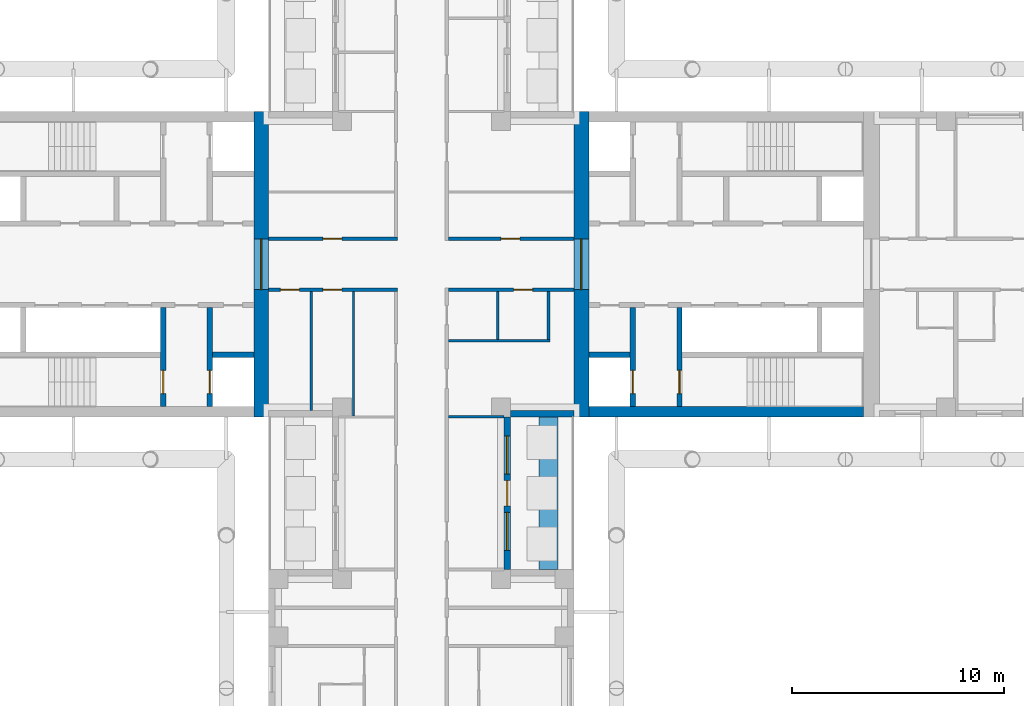
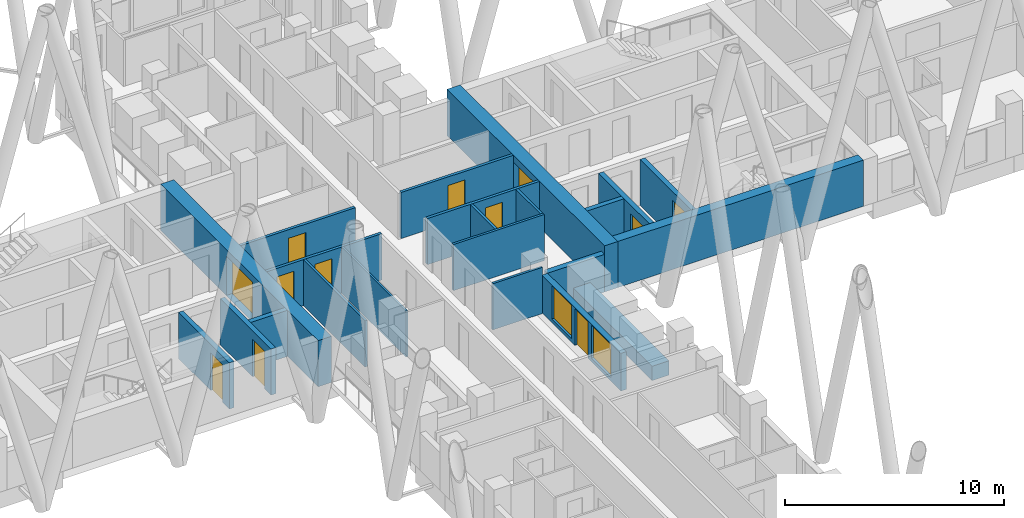
# One storey, part 7 of 14: 22 walls, 12 doors, 2 windows, 14 openings.
"""IFC4 building model written with IfcOpenShell, lengths in metres."""

from ifc_helpers import new_model, si_unit, direction, frame, frame_2d, origin, place, context, subcontext, project, spatial, rectangle, extrude, material, layer, layer_set, type_object, element, fill, save


model = new_model("IFC4")

# Units and contexts
model_context = context("Model", 3, precision=1e-05, world=origin(), true_north=direction((0.0, 1.0)))
body_context = subcontext(model_context, "Body", "Model", "MODEL_VIEW")
ifc_project = project(units=[si_unit("LENGTHUNIT", "METRE"), si_unit("AREAUNIT", "SQUARE_METRE"), si_unit("VOLUMEUNIT", "CUBIC_METRE"), si_unit("PLANEANGLEUNIT", "RADIAN"), si_unit("MASSUNIT", "GRAM", prefix="KILO")], contexts=[model_context])

# Site, building, storey
site_placement = place(None, origin())
site = spatial("IfcSite", under=ifc_project, at=site_placement, CompositionType="ELEMENT")
building_placement = place(site_placement, origin())
building = spatial("IfcBuilding", under=site, at=building_placement, Name="Fustian Cross Tower", CompositionType="ELEMENT")
storey_placement = place(building_placement, frame((0.0, 0.0, 102.89990234375)))
storey = spatial("IfcBuildingStorey", under=building, at=storey_placement, Name="L32", CompositionType="ELEMENT", Elevation=102.89990234375)

# Wall, openings, doors
ifc_material_1 = material(Name="Plasterboard on steel stud", Category="steel")
ifc_layer_1 = layer(ifc_material_1, 0.14990234375)
ifc_layer_set_1 = layer_set([ifc_layer_1], Name="Plasterboard on steel stud")
wall_type_1 = type_object("IfcWallType", Name="COMPARTMENT WALL 150 EI 60", PredefinedType="PARTITIONING", material=ifc_layer_set_1)
wall_1_placement = place(storey_placement, frame((-7.199951171875, -1.199951171875, 0.0), z_axis=(0.0, 0.0, 1.0), x_axis=(1.0, 0.0, 0.0)))
wall_1 = element("IfcWall", 1, at=wall_1_placement, inside=storey, type_object=wall_type_1, Name="Partition 12", PredefinedType="PARTITIONING", context=body_context, shape_type="SweptSolid", body=[
    extrude(rectangle(XDim=6.074951171875, YDim=0.14990234375, at=frame_2d((3.03759765625, 0.0))), origin(), (0.0, 0.0, 1.0), 2.5751953125),
])
opening_1_placement = place(wall_1_placement, frame((2.550048828125, 0.0, 0.0)))
opening_1 = element("IfcOpeningElement", 2, at=opening_1_placement, cuts=wall_1, Name="Opening D15009", PredefinedType="OPENING", context=body_context, shape_type="SweptSolid", body=[
    extrude(rectangle(XDim=0.89990234375, YDim=2.10009765625, at=frame_2d((0.449951171875, 1.050048828125))), frame((0.0, 0.0849609375, 0.0), z_axis=(0.0, -1.0, 0.0), x_axis=(1.0, 0.0, 0.0)), (0.0, 0.0, 1.0), 0.169921875),
])
opening_2_placement = place(wall_1_placement, frame((0.550048828125, 0.0, 0.0)))
opening_2 = element("IfcOpeningElement", 3, at=opening_2_placement, cuts=wall_1, Name="Opening D15010", PredefinedType="OPENING", context=body_context, shape_type="SweptSolid", body=[
    extrude(rectangle(XDim=0.89990234375, YDim=2.10009765625, at=frame_2d((0.449951171875, 1.050048828125))), frame((0.0, 0.0849609375, 0.0), z_axis=(0.0, -1.0, 0.0), x_axis=(1.0, 0.0, 0.0)), (0.0, 0.0, 1.0), 0.169921875),
])
ifc_material_2 = material(Name="Timber fire door set", Category="wood")
door_type_1 = type_object("IfcDoorType", Name="FIRE SWING DOOR 900 FD30S", OperationType="SINGLE_SWING_LEFT", PredefinedType="DOOR", material=ifc_material_2)
door_1_placement = place(opening_1_placement, frame((0.89990234375, 0.0, 0.0), z_axis=(0.0, 0.0, 1.0), x_axis=(-1.0, 0.0, 0.0)))
door_1 = element("IfcDoor", 4, at=door_1_placement, inside=storey, type_object=door_type_1, Name="Door D15009", OperationType="SINGLE_SWING_RIGHT", OverallHeight=2.10009765625, OverallWidth=0.89990234375, PredefinedType="DOOR", context=body_context, shape_type="SweptSolid", body=[
    extrude(rectangle(XDim=0.89990234375, YDim=2.10009765625, at=frame_2d((0.449951171875, 1.050048828125))), frame((0.0, 0.02490234375, 0.0), z_axis=(0.0, -1.0, 0.0), x_axis=(1.0, 0.0, 0.0)), (0.0, 0.0, 1.0), 0.050048828125),
])
fill(opening_1, door_1)
door_2_placement = place(opening_2_placement, frame((0.89990234375, 0.0, 0.0), z_axis=(0.0, 0.0, 1.0), x_axis=(-1.0, 0.0, 0.0)))
door_2 = element("IfcDoor", 5, at=door_2_placement, inside=storey, type_object=door_type_1, Name="Door D15010", OperationType="SINGLE_SWING_RIGHT", OverallHeight=2.10009765625, OverallWidth=0.89990234375, PredefinedType="DOOR", context=body_context, shape_type="SweptSolid", body=[
    extrude(rectangle(XDim=0.89990234375, YDim=2.10009765625, at=frame_2d((0.449951171875, 1.050048828125))), frame((0.0, 0.02490234375, 0.0), z_axis=(0.0, -1.0, 0.0), x_axis=(1.0, 0.0, 0.0)), (0.0, 0.0, 1.0), 0.050048828125),
])
fill(opening_2, door_2)

# Wall, opening, door
wall_2_placement = place(storey_placement, frame((-7.199951171875, 1.199951171875, 0.0), z_axis=(0.0, 0.0, 1.0), x_axis=(1.0, 0.0, 0.0)))
wall_2 = element("IfcWall", 6, at=wall_2_placement, inside=storey, type_object=wall_type_1, Name="Partition 13", PredefinedType="PARTITIONING", context=body_context, shape_type="SweptSolid", body=[
    extrude(rectangle(XDim=6.074951171875, YDim=0.14990234375, at=frame_2d((3.03759765625, 0.0))), origin(), (0.0, 0.0, 1.0), 2.5751953125),
])
opening_3_placement = place(wall_2_placement, frame((2.550048828125, 0.0, 0.0)))
opening_3 = element("IfcOpeningElement", 7, at=opening_3_placement, cuts=wall_2, Name="Opening D15003", PredefinedType="OPENING", context=body_context, shape_type="SweptSolid", body=[
    extrude(rectangle(XDim=0.89990234375, YDim=2.10009765625, at=frame_2d((0.449951171875, 1.050048828125))), frame((0.0, 0.0849609375, 0.0), z_axis=(0.0, -1.0, 0.0), x_axis=(1.0, 0.0, 0.0)), (0.0, 0.0, 1.0), 0.169921875),
])
door_3_placement = place(opening_3_placement, origin())
door_3 = element("IfcDoor", 8, at=door_3_placement, inside=storey, type_object=door_type_1, Name="Door D15003", OperationType="SINGLE_SWING_LEFT", OverallHeight=2.10009765625, OverallWidth=0.89990234375, PredefinedType="DOOR", context=body_context, shape_type="SweptSolid", body=[
    extrude(rectangle(XDim=0.89990234375, YDim=2.10009765625, at=frame_2d((0.449951171875, 1.050048828125))), frame((0.0, 0.02490234375, 0.0), z_axis=(0.0, -1.0, 0.0), x_axis=(1.0, 0.0, 0.0)), (0.0, 0.0, 1.0), 0.050048828125),
])
fill(opening_3, door_3)

wall_3_placement = place(storey_placement, frame((1.27490234375, -1.199951171875, 0.0), z_axis=(0.0, 0.0, 1.0), x_axis=(1.0, 0.0, 0.0)))
wall_3 = element("IfcWall", 9, at=wall_3_placement, inside=storey, type_object=wall_type_1, Name="Partition 50", PredefinedType="PARTITIONING", context=body_context, shape_type="SweptSolid", body=[
    extrude(rectangle(XDim=5.925048828125, YDim=0.14990234375, at=frame_2d((2.96240234375, 0.0))), origin(), (0.0, 0.0, 1.0), 2.5751953125),
])
opening_4_placement = place(wall_3_placement, frame((3.074951171875, 0.0, 0.0)))
opening_4 = element("IfcOpeningElement", 10, at=opening_4_placement, cuts=wall_3, Name="Opening D15006", PredefinedType="OPENING", context=body_context, shape_type="SweptSolid", body=[
    extrude(rectangle(XDim=0.89990234375, YDim=2.10009765625, at=frame_2d((0.449951171875, 1.050048828125))), frame((0.0, 0.0849609375, 0.0), z_axis=(0.0, -1.0, 0.0), x_axis=(1.0, 0.0, 0.0)), (0.0, 0.0, 1.0), 0.169921875),
])
door_4_placement = place(opening_4_placement, frame((0.89990234375, 0.0, 0.0), z_axis=(0.0, 0.0, 1.0), x_axis=(-1.0, 0.0, 0.0)))
door_4 = element("IfcDoor", 11, at=door_4_placement, inside=storey, type_object=door_type_1, Name="Door D15006", OperationType="SINGLE_SWING_RIGHT", OverallHeight=2.10009765625, OverallWidth=0.89990234375, PredefinedType="DOOR", context=body_context, shape_type="SweptSolid", body=[
    extrude(rectangle(XDim=0.89990234375, YDim=2.10009765625, at=frame_2d((0.449951171875, 1.050048828125))), frame((0.0, 0.02490234375, 0.0), z_axis=(0.0, -1.0, 0.0), x_axis=(1.0, 0.0, 0.0)), (0.0, 0.0, 1.0), 0.050048828125),
])
fill(opening_4, door_4)

wall_4_placement = place(storey_placement, frame((1.27490234375, 1.199951171875, 0.0), z_axis=(0.0, 0.0, 1.0), x_axis=(1.0, 0.0, 0.0)))
wall_4 = element("IfcWall", 12, at=wall_4_placement, inside=storey, type_object=wall_type_1, Name="Partition 52", PredefinedType="PARTITIONING", context=body_context, shape_type="SweptSolid", body=[
    extrude(rectangle(XDim=5.925048828125, YDim=0.14990234375, at=frame_2d((2.96240234375, 0.0))), origin(), (0.0, 0.0, 1.0), 2.5751953125),
])
opening_5_placement = place(wall_4_placement, frame((2.47509765625, 0.0, 0.0)))
opening_5 = element("IfcOpeningElement", 13, at=opening_5_placement, cuts=wall_4, Name="Opening D15001", PredefinedType="OPENING", context=body_context, shape_type="SweptSolid", body=[
    extrude(rectangle(XDim=0.89990234375, YDim=2.10009765625, at=frame_2d((0.449951171875, 1.050048828125))), frame((0.0, 0.0849609375, 0.0), z_axis=(0.0, -1.0, 0.0), x_axis=(1.0, 0.0, 0.0)), (0.0, 0.0, 1.0), 0.169921875),
])
door_5_placement = place(opening_5_placement, origin())
door_5 = element("IfcDoor", 14, at=door_5_placement, inside=storey, type_object=door_type_1, Name="Door D15001", OperationType="SINGLE_SWING_LEFT", OverallHeight=2.10009765625, OverallWidth=0.89990234375, PredefinedType="DOOR", context=body_context, shape_type="SweptSolid", body=[
    extrude(rectangle(XDim=0.89990234375, YDim=2.10009765625, at=frame_2d((0.449951171875, 1.050048828125))), frame((0.0, 0.02490234375, 0.0), z_axis=(0.0, -1.0, 0.0), x_axis=(1.0, 0.0, 0.0)), (0.0, 0.0, 1.0), 0.050048828125),
])
fill(opening_5, door_5)

ifc_material_3 = material(Name="Concrete C70/85", Category="concrete")
ifc_layer_2 = layer(ifc_material_3, 0.699951171875)
ifc_layer_set_2 = layer_set([ifc_layer_2], Name="Concrete C70/85")
wall_type_2 = type_object("IfcWallType", Name="CORE END WALL 700 C70/85", PredefinedType="SHEAR", material=ifc_layer_set_2)
wall_5_placement = place(storey_placement, frame((7.550048828125, -7.199951171875, 0.0), z_axis=(0.0, 0.0, 1.0), x_axis=(0.0, 1.0, 0.0)))
wall_5 = element("IfcWall", 15, at=wall_5_placement, inside=storey, type_object=wall_type_2, Name="Core end wall", PredefinedType="SHEAR", context=body_context, shape_type="SweptSolid", body=[
    extrude(rectangle(XDim=14.39990234375, YDim=0.699951171875, at=frame_2d((7.199951171875, 0.0))), origin(), (0.0, 0.0, 1.0), 2.5751953125),
])
opening_6_placement = place(wall_5_placement, frame((6.0, 0.0, 0.0)))
opening_6 = element("IfcOpeningElement", 16, at=opening_6_placement, cuts=wall_5, Name="Opening CD-10-12", PredefinedType="OPENING", context=body_context, shape_type="SweptSolid", body=[
    extrude(rectangle(XDim=2.39990234375, YDim=2.199951171875, at=frame_2d((1.199951171875, 1.10009765625))), frame((0.0, 0.35986328125, 0.0), z_axis=(0.0, -1.0, 0.0), x_axis=(1.0, 0.0, 0.0)), (0.0, 0.0, 1.0), 0.719970703125),
])
ifc_material_4 = material(Name="Steel", Category="steel")
door_type_2 = type_object("IfcDoorType", Name="FIRE DOOR FD30S DOUBLE 2400X2200", OperationType="DOUBLE_DOOR_DOUBLE_SWING", PredefinedType="DOOR", material=ifc_material_4)
door_6_placement = place(opening_6_placement, frame((2.39990234375, 0.0, 0.0), z_axis=(0.0, 0.0, 1.0), x_axis=(-1.0, 0.0, 0.0)))
door_6 = element("IfcDoor", 17, at=door_6_placement, inside=storey, type_object=door_type_2, Name="Core door CD-10-12", OperationType="DOUBLE_DOOR_DOUBLE_SWING", OverallHeight=2.199951171875, OverallWidth=2.39990234375, PredefinedType="DOOR", context=body_context, shape_type="SweptSolid", body=[
    extrude(rectangle(XDim=2.39990234375, YDim=2.199951171875, at=frame_2d((1.199951171875, 1.10009765625))), frame((0.0, 0.02490234375, 0.0), z_axis=(0.0, -1.0, 0.0), x_axis=(1.0, 0.0, 0.0)), (0.0, 0.0, 1.0), 0.050048828125),
])
fill(opening_6, door_6)

wall_6_placement = place(storey_placement, frame((-7.550048828125, -7.199951171875, 0.0), z_axis=(0.0, 0.0, 1.0), x_axis=(0.0, 1.0, 0.0)))
wall_6 = element("IfcWall", 18, at=wall_6_placement, inside=storey, type_object=wall_type_2, Name="Core end wall", PredefinedType="SHEAR", context=body_context, shape_type="SweptSolid", body=[
    extrude(rectangle(XDim=14.39990234375, YDim=0.699951171875, at=frame_2d((7.199951171875, 0.0))), origin(), (0.0, 0.0, 1.0), 2.5751953125),
])
opening_7_placement = place(wall_6_placement, frame((6.0, 0.0, 0.0)))
opening_7 = element("IfcOpeningElement", 19, at=opening_7_placement, cuts=wall_6, Name="Opening CD-10-27", PredefinedType="OPENING", context=body_context, shape_type="SweptSolid", body=[
    extrude(rectangle(XDim=2.39990234375, YDim=2.199951171875, at=frame_2d((1.199951171875, 1.10009765625))), frame((0.0, 0.35986328125, 0.0), z_axis=(0.0, -1.0, 0.0), x_axis=(1.0, 0.0, 0.0)), (0.0, 0.0, 1.0), 0.719970703125),
])
door_7_placement = place(opening_7_placement, origin())
door_7 = element("IfcDoor", 20, at=door_7_placement, inside=storey, type_object=door_type_2, Name="Core door CD-10-27", OperationType="DOUBLE_DOOR_DOUBLE_SWING", OverallHeight=2.199951171875, OverallWidth=2.39990234375, PredefinedType="DOOR", context=body_context, shape_type="SweptSolid", body=[
    extrude(rectangle(XDim=2.39990234375, YDim=2.199951171875, at=frame_2d((1.199951171875, 1.10009765625))), frame((0.0, 0.02490234375, 0.0), z_axis=(0.0, -1.0, 0.0), x_axis=(1.0, 0.0, 0.0)), (0.0, 0.0, 1.0), 0.050048828125),
])
fill(opening_7, door_7)

# Walls
ifc_material_5 = material(Name="Concrete C70/85", Category="concrete")
ifc_layer_3 = layer(ifc_material_5, 0.5)
ifc_layer_set_3 = layer_set([ifc_layer_3], Name="Concrete C70/85")
wall_type_3 = type_object("IfcWallType", Name="CORE FACADE WALL 500 C70/85", PredefinedType="SHEAR", material=ifc_layer_set_3)
wall_7_placement = place(storey_placement, frame((7.89990234375, -6.949951171875, 0.0), z_axis=(0.0, 0.0, 1.0), x_axis=(1.0, 0.0, 0.0)))
element("IfcWall", 21, at=wall_7_placement, inside=storey, type_object=wall_type_3, Name="Core facade wall", PredefinedType="SHEAR", context=body_context, shape_type="SweptSolid", body=[
    extrude(rectangle(XDim=12.9501953125, YDim=0.5, at=frame_2d((6.47509765625, 0.0))), origin(), (0.0, 0.0, 1.0), 2.5751953125),
])
ifc_material_6 = material(Name="Concrete C50/60", Category="concrete")
ifc_layer_4 = layer(ifc_material_6, 0.25)
ifc_layer_set_4 = layer_set([ifc_layer_4], Name="Concrete C50/60")
wall_type_4 = type_object("IfcWallType", Name="CORE SHAFT WALL 250 C50/60", PredefinedType="SHEAR", material=ifc_layer_set_4)
wall_8_placement = place(storey_placement, frame((7.89990234375, -4.27490234375, 0.0), z_axis=(0.0, 0.0, 1.0), x_axis=(1.0, 0.0, 0.0)))
element("IfcWall", 22, at=wall_8_placement, inside=storey, type_object=wall_type_4, Name="Core shaft wall", PredefinedType="SHEAR", context=body_context, shape_type="SweptSolid", body=[
    extrude(rectangle(XDim=1.9501953125, YDim=0.25, at=frame_2d((0.97509765625, 0.0))), origin(), (0.0, 0.0, 1.0), 2.5751953125),
])

# Wall, opening, door
wall_9_placement = place(storey_placement, frame((9.97509765625, -2.050048828125, 0.0), z_axis=(0.0, 0.0, 1.0), x_axis=(0.0, -1.0, 0.0)))
wall_9 = element("IfcWall", 23, at=wall_9_placement, inside=storey, type_object=wall_type_4, Name="Core shaft wall", PredefinedType="SHEAR", context=body_context, shape_type="SweptSolid", body=[
    extrude(rectangle(XDim=4.64990234375, YDim=0.25, at=frame_2d((2.324951171875, 0.0))), origin(), (0.0, 0.0, 1.0), 2.5751953125),
])
opening_8_placement = place(wall_9_placement, frame((2.949951171875, 0.0, 0.0)))
opening_8 = element("IfcOpeningElement", 24, at=opening_8_placement, cuts=wall_9, Name="Opening LD", PredefinedType="OPENING", context=body_context, shape_type="SweptSolid", body=[
    extrude(rectangle(XDim=1.10009765625, YDim=2.10009765625, at=frame_2d((0.550048828125, 1.050048828125))), frame((0.0, 0.135009765625, 0.0), z_axis=(0.0, -1.0, 0.0), x_axis=(1.0, 0.0, 0.0)), (0.0, 0.0, 1.0), 0.27001953125),
])
ifc_material_7 = material(Name="Stainless steel", Category="steel")
door_type_3 = type_object("IfcDoorType", Name="LIFT LANDING DOOR 1100X2100", OperationType="SLIDING_TO_LEFT", PredefinedType="DOOR", material=ifc_material_7)
door_8_placement = place(opening_8_placement, origin())
door_8 = element("IfcDoor", 25, at=door_8_placement, inside=storey, type_object=door_type_3, Name="Landing door SV1", OperationType="SLIDING_TO_LEFT", OverallHeight=2.10009765625, OverallWidth=1.10009765625, PredefinedType="DOOR", context=body_context, shape_type="SweptSolid", body=[
    extrude(rectangle(XDim=1.10009765625, YDim=2.10009765625, at=frame_2d((0.550048828125, 1.050048828125))), frame((0.0, 0.02490234375, 0.0), z_axis=(0.0, -1.0, 0.0), x_axis=(1.0, 0.0, 0.0)), (0.0, 0.0, 1.0), 0.050048828125),
])
fill(opening_8, door_8)

wall_10_placement = place(storey_placement, frame((12.175048828125, -2.050048828125, 0.0), z_axis=(0.0, 0.0, 1.0), x_axis=(0.0, -1.0, 0.0)))
wall_10 = element("IfcWall", 26, at=wall_10_placement, inside=storey, type_object=wall_type_4, Name="Core shaft wall", PredefinedType="SHEAR", context=body_context, shape_type="SweptSolid", body=[
    extrude(rectangle(XDim=4.64990234375, YDim=0.25, at=frame_2d((2.324951171875, 0.0))), origin(), (0.0, 0.0, 1.0), 2.5751953125),
])
opening_9_placement = place(wall_10_placement, frame((2.949951171875, 0.0, 0.0)))
opening_9 = element("IfcOpeningElement", 27, at=opening_9_placement, cuts=wall_10, Name="Opening CD-10-07", PredefinedType="OPENING", context=body_context, shape_type="SweptSolid", body=[
    extrude(rectangle(XDim=1.10009765625, YDim=2.10009765625, at=frame_2d((0.550048828125, 1.050048828125))), frame((0.0, 0.135009765625, 0.0), z_axis=(0.0, -1.0, 0.0), x_axis=(1.0, 0.0, 0.0)), (0.0, 0.0, 1.0), 0.27001953125),
])
ifc_material_8 = material(Name="Steel", Category="steel")
door_type_4 = type_object("IfcDoorType", Name="FIRE DOOR FD60S 1100X2100", OperationType="SINGLE_SWING_LEFT", PredefinedType="DOOR", material=ifc_material_8)
door_9_placement = place(opening_9_placement, origin())
door_9 = element("IfcDoor", 28, at=door_9_placement, inside=storey, type_object=door_type_4, Name="Core door CD-10-07", OperationType="SINGLE_SWING_LEFT", OverallHeight=2.10009765625, OverallWidth=1.10009765625, PredefinedType="DOOR", context=body_context, shape_type="SweptSolid", body=[
    extrude(rectangle(XDim=1.10009765625, YDim=2.10009765625, at=frame_2d((0.550048828125, 1.050048828125))), frame((0.0, 0.02490234375, 0.0), z_axis=(0.0, -1.0, 0.0), x_axis=(1.0, 0.0, 0.0)), (0.0, 0.0, 1.0), 0.050048828125),
])
fill(opening_9, door_9)

# Wall
wall_11_placement = place(storey_placement, frame((-7.89990234375, -4.27490234375, 0.0), z_axis=(0.0, 0.0, 1.0), x_axis=(-1.0, 0.0, 0.0)))
element("IfcWall", 29, at=wall_11_placement, inside=storey, type_object=wall_type_4, Name="Core shaft wall", PredefinedType="SHEAR", context=body_context, shape_type="SweptSolid", body=[
    extrude(rectangle(XDim=1.9501953125, YDim=0.25, at=frame_2d((0.97509765625, 0.0))), origin(), (0.0, 0.0, 1.0), 2.5751953125),
])

# Wall, opening, door
wall_12_placement = place(storey_placement, frame((-9.97509765625, -2.050048828125, 0.0), z_axis=(0.0, 0.0, 1.0), x_axis=(0.0, -1.0, 0.0)))
wall_12 = element("IfcWall", 30, at=wall_12_placement, inside=storey, type_object=wall_type_4, Name="Core shaft wall", PredefinedType="SHEAR", context=body_context, shape_type="SweptSolid", body=[
    extrude(rectangle(XDim=4.64990234375, YDim=0.25, at=frame_2d((2.324951171875, 0.0))), origin(), (0.0, 0.0, 1.0), 2.5751953125),
])
opening_10_placement = place(wall_12_placement, frame((2.949951171875, 0.0, 0.0)))
opening_10 = element("IfcOpeningElement", 31, at=opening_10_placement, cuts=wall_12, Name="Opening LD", PredefinedType="OPENING", context=body_context, shape_type="SweptSolid", body=[
    extrude(rectangle(XDim=1.10009765625, YDim=2.10009765625, at=frame_2d((0.550048828125, 1.050048828125))), frame((0.0, 0.135009765625, 0.0), z_axis=(0.0, -1.0, 0.0), x_axis=(1.0, 0.0, 0.0)), (0.0, 0.0, 1.0), 0.27001953125),
])
door_10_placement = place(opening_10_placement, origin())
door_10 = element("IfcDoor", 32, at=door_10_placement, inside=storey, type_object=door_type_3, Name="Landing door SV1W", OperationType="SLIDING_TO_LEFT", OverallHeight=2.10009765625, OverallWidth=1.10009765625, PredefinedType="DOOR", context=body_context, shape_type="SweptSolid", body=[
    extrude(rectangle(XDim=1.10009765625, YDim=2.10009765625, at=frame_2d((0.550048828125, 1.050048828125))), frame((0.0, 0.02490234375, 0.0), z_axis=(0.0, -1.0, 0.0), x_axis=(1.0, 0.0, 0.0)), (0.0, 0.0, 1.0), 0.050048828125),
])
fill(opening_10, door_10)

wall_13_placement = place(storey_placement, frame((-12.175048828125, -2.050048828125, 0.0), z_axis=(0.0, 0.0, 1.0), x_axis=(0.0, -1.0, 0.0)))
wall_13 = element("IfcWall", 33, at=wall_13_placement, inside=storey, type_object=wall_type_4, Name="Core shaft wall", PredefinedType="SHEAR", context=body_context, shape_type="SweptSolid", body=[
    extrude(rectangle(XDim=4.64990234375, YDim=0.25, at=frame_2d((2.324951171875, 0.0))), origin(), (0.0, 0.0, 1.0), 2.5751953125),
])
opening_11_placement = place(wall_13_placement, frame((2.949951171875, 0.0, 0.0)))
opening_11 = element("IfcOpeningElement", 34, at=opening_11_placement, cuts=wall_13, Name="Opening CD-10-22", PredefinedType="OPENING", context=body_context, shape_type="SweptSolid", body=[
    extrude(rectangle(XDim=1.10009765625, YDim=2.10009765625, at=frame_2d((0.550048828125, 1.050048828125))), frame((0.0, 0.135009765625, 0.0), z_axis=(0.0, -1.0, 0.0), x_axis=(1.0, 0.0, 0.0)), (0.0, 0.0, 1.0), 0.27001953125),
])
door_11_placement = place(opening_11_placement, frame((1.10009765625, 0.0, 0.0), z_axis=(0.0, 0.0, 1.0), x_axis=(-1.0, 0.0, 0.0)))
door_11 = element("IfcDoor", 35, at=door_11_placement, inside=storey, type_object=door_type_4, Name="Core door CD-10-22", OperationType="SINGLE_SWING_RIGHT", OverallHeight=2.10009765625, OverallWidth=1.10009765625, PredefinedType="DOOR", context=body_context, shape_type="SweptSolid", body=[
    extrude(rectangle(XDim=1.10009765625, YDim=2.10009765625, at=frame_2d((0.550048828125, 1.050048828125))), frame((0.0, 0.02490234375, 0.0), z_axis=(0.0, -1.0, 0.0), x_axis=(1.0, 0.0, 0.0)), (0.0, 0.0, 1.0), 0.050048828125),
])
fill(opening_11, door_11)

# Walls
ifc_material_9 = material(Name="Plasterboard on steel stud", Category="steel")
ifc_layer_5 = layer(ifc_material_9, 0.10009765625)
ifc_layer_set_5 = layer_set([ifc_layer_5], Name="Plasterboard on steel stud")
wall_type_5 = type_object("IfcWallType", Name="PARTITION 100 STUD", PredefinedType="PARTITIONING", material=ifc_layer_set_5)
wall_14_placement = place(storey_placement, frame((-3.199951171875, -7.14990234375, 0.0), z_axis=(0.0, 0.0, 1.0), x_axis=(0.0, 1.0, 0.0)))
element("IfcWall", 36, at=wall_14_placement, inside=storey, type_object=wall_type_5, Name="Partition 38", PredefinedType="PARTITIONING", context=body_context, shape_type="SweptSolid", body=[
    extrude(rectangle(XDim=5.875, YDim=0.10009765625, at=frame_2d((2.9375, 0.0))), origin(), (0.0, 0.0, 1.0), 2.5751953125),
])
ifc_material_10 = material(Name="Concrete C40/50", Category="concrete")
ifc_layer_6 = layer(ifc_material_10, 0.89990234375)
ifc_layer_set_6 = layer_set([ifc_layer_6], Name="Concrete C40/50")
wall_type_6 = type_object("IfcWallType", Name="PK1 PLANTER 900", PredefinedType="PARAPET", material=ifc_layer_set_6)
wall_15_placement = place(storey_placement, frame((6.0, -14.39990234375, 0.0), z_axis=(0.0, 0.0, 1.0), x_axis=(0.0, 1.0, 0.0)))
element("IfcWall", 37, at=wall_15_placement, inside=storey, type_object=wall_type_6, Name="PLANTER", PredefinedType="PARAPET", context=body_context, shape_type="SweptSolid", body=[
    extrude(rectangle(XDim=7.199951171875, YDim=0.89990234375, at=frame_2d((3.60009765625, 0.0))), origin(), (0.0, 0.0, 1.0), 0.800048828125),
])
ifc_material_11 = material(Name="Plasterboard on steel stud", Category="steel")
ifc_layer_7 = layer(ifc_material_11, 0.125)
ifc_layer_set_7 = layer_set([ifc_layer_7], Name="Plasterboard on steel stud")
wall_type_7 = type_object("IfcWallType", Name="WET WALL 125 STUD", PredefinedType="PARTITIONING", material=ifc_layer_set_7)
wall_16_placement = place(storey_placement, frame((-5.199951171875, -6.89990234375, 0.0), z_axis=(0.0, 0.0, 1.0), x_axis=(0.0, 1.0, 0.0)))
element("IfcWall", 38, at=wall_16_placement, inside=storey, type_object=wall_type_7, Name="Partition 23", PredefinedType="PARTITIONING", context=body_context, shape_type="SweptSolid", body=[
    extrude(rectangle(XDim=5.625, YDim=0.125, at=frame_2d((2.8125, 0.0))), origin(), (0.0, 0.0, 1.0), 2.5751953125),
])
wall_17_placement = place(storey_placement, frame((1.27490234375, -7.199951171875, 0.0), z_axis=(0.0, 0.0, 1.0), x_axis=(1.0, 0.0, 0.0)))
element("IfcWall", 39, at=wall_17_placement, inside=storey, type_object=wall_type_7, Name="Partition 48", PredefinedType="PARTITIONING", context=body_context, shape_type="SweptSolid", body=[
    extrude(rectangle(XDim=2.625, YDim=0.125, at=frame_2d((1.3125, 0.0))), origin(), (0.0, 0.0, 1.0), 2.5751953125),
])
wall_18_placement = place(storey_placement, frame((1.27490234375, -3.60009765625, 0.0), z_axis=(0.0, 0.0, 1.0), x_axis=(1.0, 0.0, 0.0)))
element("IfcWall", 40, at=wall_18_placement, inside=storey, type_object=wall_type_7, Name="Partition 49", PredefinedType="PARTITIONING", context=body_context, shape_type="SweptSolid", body=[
    extrude(rectangle(XDim=4.78759765625, YDim=0.125, at=frame_2d((2.393798828125, 0.0))), origin(), (0.0, 0.0, 1.0), 2.5751953125),
])
for number, where, z_axis, x_axis, name in (
    (41, (3.60009765625, -3.53759765625, 0.0), (0.0, 0.0, 1.0), (0.0, 1.0, 0.0), "Partition 63"),
    (42, (6.0, -3.53759765625, 0.0), (0.0, 0.0, 1.0), (0.0, 1.0, 0.0), "Partition 69"),
):
    element("IfcWall", number, at=place(storey_placement, frame(where, z_axis=z_axis, x_axis=x_axis)), inside=storey, type_object=wall_type_7, Name=name, PredefinedType="PARTITIONING", context=body_context, shape_type="SweptSolid", body=[
        extrude(rectangle(XDim=2.2626953125, YDim=0.125, at=frame_2d((1.13134765625, 0.0))), origin(), (0.0, 0.0, 1.0), 2.5751953125),
    ])

# Wall, openings, door, windows
ifc_material_12 = material(Name="Dark aluminium cladding on insulated backing wall", Category="aluminium")
ifc_layer_8 = layer(ifc_material_12, 0.300048828125)
ifc_layer_set_8 = layer_set([ifc_layer_8], Name="Dark aluminium cladding on insulated backing wall")
wall_type_8 = type_object("IfcWallType", Name="XW1 EXTERNAL WALL 300", PredefinedType="SOLIDWALL", material=ifc_layer_set_8)
wall_19_placement = place(storey_placement, frame((4.050048828125, -14.39990234375, 0.0), z_axis=(0.0, 0.0, 1.0), x_axis=(0.0, 1.0, 0.0)))
wall_19 = element("IfcWall", 43, at=wall_19_placement, inside=storey, type_object=wall_type_8, Name="External wall", PredefinedType="SOLIDWALL", context=body_context, shape_type="SweptSolid", body=[
    extrude(rectangle(XDim=7.199951171875, YDim=0.300048828125, at=frame_2d((3.60009765625, 0.0))), origin(), (0.0, 0.0, 1.0), 2.10009765625),
])
opening_12_placement = place(wall_19_placement, frame((3.0, 0.0, 0.0)))
opening_12 = element("IfcOpeningElement", 44, at=opening_12_placement, cuts=wall_19, Name="Opening XD3", PredefinedType="OPENING", context=body_context, shape_type="SweptSolid", body=[
    extrude(rectangle(XDim=1.199951171875, YDim=2.050048828125, at=frame_2d((0.60009765625, 1.02490234375))), frame((0.0, 0.159912109375, 0.0), z_axis=(0.0, -1.0, 0.0), x_axis=(1.0, 0.0, 0.0)), (0.0, 0.0, 1.0), 0.320068359375),
])
opening_13_placement = place(wall_19_placement, frame((0.89990234375, 0.0, 0.199951171875)))
opening_13 = element("IfcOpeningElement", 45, at=opening_13_placement, cuts=wall_19, Name="Opening WN2", PredefinedType="OPENING", context=body_context, shape_type="SweptSolid", body=[
    extrude(rectangle(XDim=1.800048828125, YDim=1.85009765625, at=frame_2d((0.89990234375, 0.925048828125))), frame((0.0, 0.159912109375, 0.0), z_axis=(0.0, -1.0, 0.0), x_axis=(1.0, 0.0, 0.0)), (0.0, 0.0, 1.0), 0.320068359375),
])
opening_14_placement = place(wall_19_placement, frame((4.5, 0.0, 0.199951171875)))
opening_14 = element("IfcOpeningElement", 46, at=opening_14_placement, cuts=wall_19, Name="Opening WN2", PredefinedType="OPENING", context=body_context, shape_type="SweptSolid", body=[
    extrude(rectangle(XDim=1.800048828125, YDim=1.85009765625, at=frame_2d((0.89990234375, 0.925048828125))), frame((0.0, 0.159912109375, 0.0), z_axis=(0.0, -1.0, 0.0), x_axis=(1.0, 0.0, 0.0)), (0.0, 0.0, 1.0), 0.320068359375),
])
ifc_material_13 = material(Name="Dark anodised aluminium and double glazing", Category="aluminium")
door_type_5 = type_object("IfcDoorType", Name="ED1 BALCONY DOOR 1200X2050", OperationType="SINGLE_SWING_LEFT", PredefinedType="DOOR", material=ifc_material_13)
door_12_placement = place(opening_12_placement, origin())
door_12 = element("IfcDoor", 47, at=door_12_placement, inside=storey, type_object=door_type_5, Name="Balcony door", OperationType="SINGLE_SWING_LEFT", OverallHeight=2.050048828125, OverallWidth=1.199951171875, PredefinedType="DOOR", context=body_context, shape_type="SweptSolid", body=[
    extrude(rectangle(XDim=1.199951171875, YDim=2.050048828125, at=frame_2d((0.60009765625, 1.02490234375))), frame((0.0, 0.02490234375, 0.0), z_axis=(0.0, -1.0, 0.0), x_axis=(1.0, 0.0, 0.0)), (0.0, 0.0, 1.0), 0.050048828125),
])
fill(opening_12, door_12)
ifc_material_14 = material(Name="Dark anodised aluminium and double glazing", Category="aluminium")
window_type = type_object("IfcWindowType", Name="WN2 WINDOW 1800X1850", PartitioningType="SINGLE_PANEL", PredefinedType="WINDOW", material=ifc_material_14)
window_1_placement = place(opening_13_placement, origin())
window_1 = element("IfcWindow", 48, at=window_1_placement, inside=storey, type_object=window_type, Name="Window", OverallHeight=1.85009765625, OverallWidth=1.800048828125, PartitioningType="SINGLE_PANEL", PredefinedType="WINDOW", context=body_context, shape_type="SweptSolid", body=[
    extrude(rectangle(XDim=1.800048828125, YDim=1.85009765625, at=frame_2d((0.89990234375, 0.925048828125))), frame((0.0, 0.030029296875, 0.0), z_axis=(0.0, -1.0, 0.0), x_axis=(1.0, 0.0, 0.0)), (0.0, 0.0, 1.0), 0.06005859375),
])
fill(opening_13, window_1)
window_2_placement = place(opening_14_placement, origin())
window_2 = element("IfcWindow", 49, at=window_2_placement, inside=storey, type_object=window_type, Name="Window", OverallHeight=1.85009765625, OverallWidth=1.800048828125, PartitioningType="SINGLE_PANEL", PredefinedType="WINDOW", context=body_context, shape_type="SweptSolid", body=[
    extrude(rectangle(XDim=1.800048828125, YDim=1.85009765625, at=frame_2d((0.89990234375, 0.925048828125))), frame((0.0, 0.030029296875, 0.0), z_axis=(0.0, -1.0, 0.0), x_axis=(1.0, 0.0, 0.0)), (0.0, 0.0, 1.0), 0.06005859375),
])
fill(opening_14, window_2)

# Wall
wall_20_placement = place(storey_placement, frame((4.199951171875, -7.050048828125, 0.0), z_axis=(0.0, 0.0, 1.0), x_axis=(1.0, 0.0, 0.0)))
element("IfcWall", 50, at=wall_20_placement, inside=storey, type_object=wall_type_8, Name="External wall", PredefinedType="SOLIDWALL", context=body_context, shape_type="SweptSolid", body=[
    extrude(rectangle(XDim=3.0, YDim=0.300048828125, at=frame_2d((1.5, 0.0))), origin(), (0.0, 0.0, 1.0), 2.10009765625),
])

save(model, "model.ifc")
